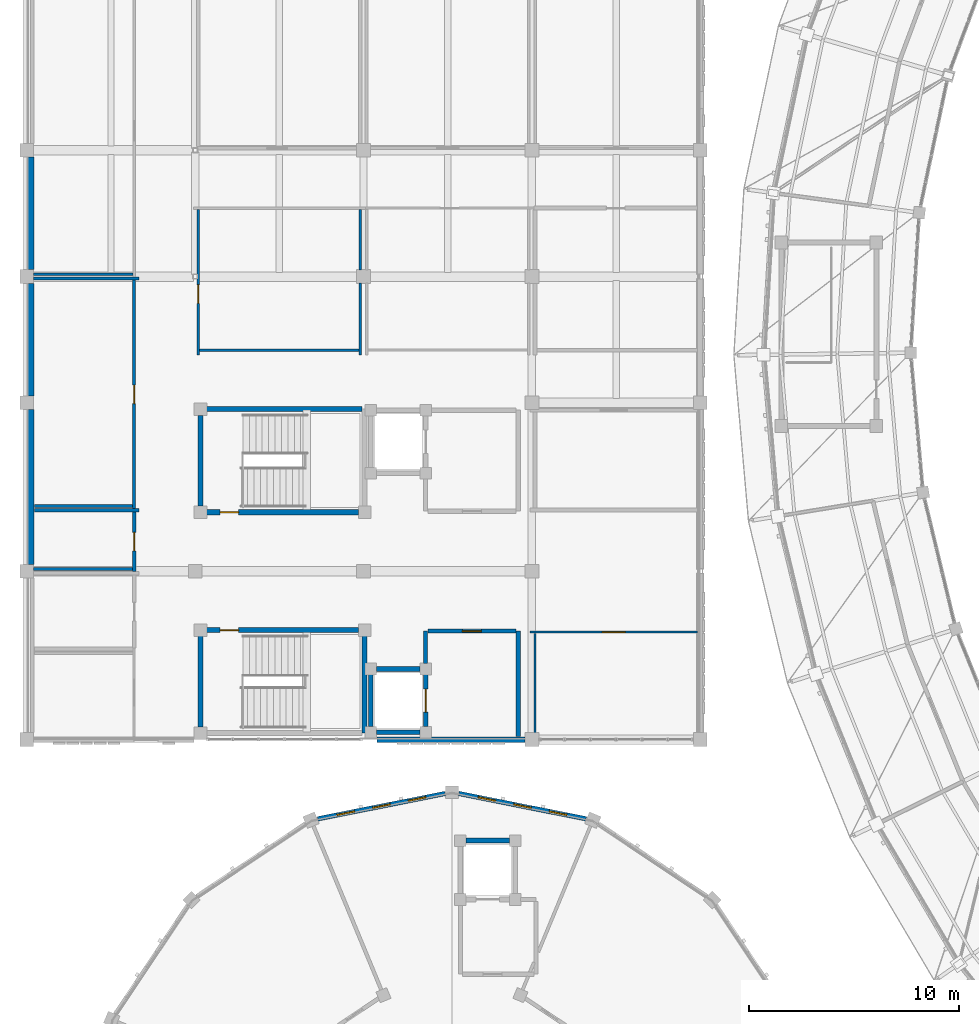
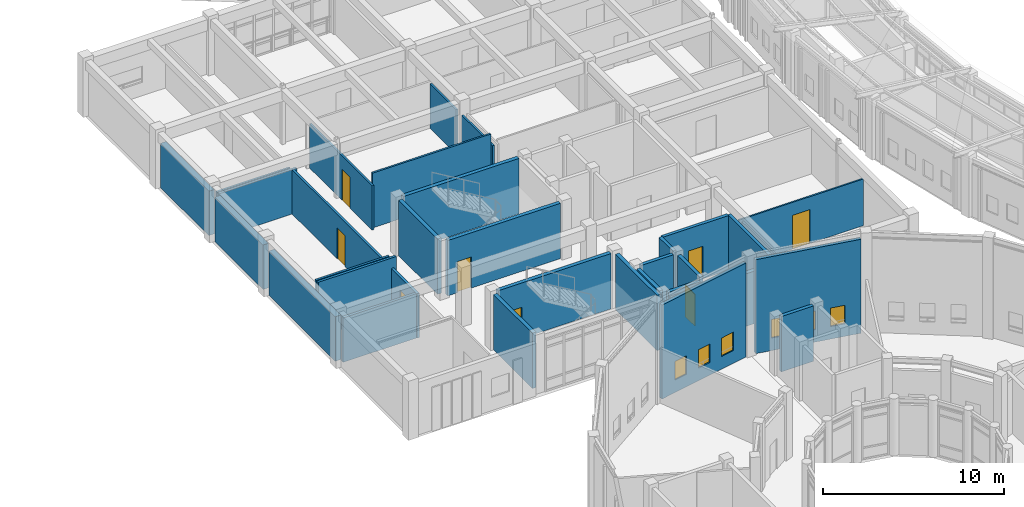
# One storey, part 120 of 149: 33 walls, 8 doors, 6 windows, 14 openings.
"""IFC4 building model written with IfcOpenShell, lengths in metres."""

from ifc_helpers import new_model, si_unit, direction, frame, frame_2d, origin, place, context, subcontext, project, spatial, rectangle, extrude, material, layer, layer_set, type_object, element, fill, save


model = new_model("IFC4")

# Units and contexts
model_context = context("Model", 3, precision=1e-05, world=origin(), true_north=direction((0.0, 1.0)))
body_context = subcontext(model_context, "Body", "Model", "MODEL_VIEW")
ifc_project = project(units=[si_unit("LENGTHUNIT", "METRE"), si_unit("AREAUNIT", "SQUARE_METRE"), si_unit("VOLUMEUNIT", "CUBIC_METRE"), si_unit("PLANEANGLEUNIT", "RADIAN"), si_unit("MASSUNIT", "GRAM", prefix="KILO")], contexts=[model_context])

# Site, building, storey
site_placement = place(None, origin())
site = spatial("IfcSite", under=ifc_project, at=site_placement, CompositionType="ELEMENT")
building_placement = place(site_placement, origin())
building = spatial("IfcBuilding", under=site, at=building_placement, Name="Celadon Cloister-Ring School", CompositionType="ELEMENT")
storey_placement = place(building_placement, frame((0.0, 0.0, 12.5)))
storey = spatial("IfcBuildingStorey", under=building, at=storey_placement, Name="L03", CompositionType="ELEMENT", Elevation=12.5)

# Wall
ifc_material_1 = material(Name="Rendered concrete blockwork", Category="masonry")
ifc_layer_1 = layer(ifc_material_1, 0.260009765625)
ifc_layer_set_1 = layer_set([ifc_layer_1], Name="Rendered concrete blockwork")
wall_type_1 = type_object("IfcWallType", Name="WT-EX2", PredefinedType="SOLIDWALL", material=ifc_layer_set_1)
wall_1_placement = place(storey_placement, frame((23.673095703125, 40.0, 0.0), z_axis=(0.0, 0.0, 1.0), x_axis=(-1.0, 0.0, 0.0)))
element("IfcWall", 1, at=wall_1_placement, inside=storey, type_object=wall_type_1, Name="Exterior Wall 0536", PredefinedType="SOLIDWALL", context=body_context, shape_type="SweptSolid", body=[
    extrude(rectangle(XDim=7.046142578125, YDim=0.260009765625, at=frame_2d((3.52294921875, 0.0))), origin(), (0.0, 0.0, 1.0), 3.550048828125),
])

# Wall, openings, windows
ifc_material_2 = material(Name="Perforated terracotta clay brick masonry", Category="masonry")
ifc_layer_2 = layer(ifc_material_2, 0.219970703125)
ifc_layer_set_2 = layer_set([ifc_layer_2], Name="Perforated terracotta clay brick masonry")
wall_type_2 = type_object("IfcWallType", Name="WT-EX4", PredefinedType="SOLIDWALL", material=ifc_layer_set_2)
wall_2_placement = place(storey_placement, frame((20.52294921875, 37.43603515625, 0.0), z_axis=(0.0, 0.0, 1.0), x_axis=(0.980770460131, -0.195164813773, 0.0)))
wall_2 = element("IfcWall", 2, at=wall_2_placement, inside=storey, type_object=wall_type_2, Name="Exterior Wall 0355", PredefinedType="SOLIDWALL", context=body_context, shape_type="SweptSolid", body=[
    extrude(rectangle(XDim=6.169677734375, YDim=0.219970703125, at=frame_2d((3.0849609375, 0.0))), origin(), (0.0, 0.0, 1.0), 6.35009765625),
])
opening_1_placement = place(wall_2_placement, frame((0.931884765625, 0.0, 0.85009765625)))
opening_1 = element("IfcOpeningElement", 3, at=opening_1_placement, cuts=wall_2, Name="Opening WN-11", PredefinedType="OPENING", context=body_context, shape_type="SweptSolid", body=[
    extrude(rectangle(XDim=0.85009765625, YDim=1.25, at=frame_2d((0.425048828125, 0.625))), frame((0.0, 0.1201171875, 0.0), z_axis=(0.0, -1.0, 0.0), x_axis=(1.0, 0.0, 0.0)), (0.0, 0.0, 1.0), 0.239990234375),
])
opening_2_placement = place(wall_2_placement, frame((2.659912109375, 0.0, 0.85009765625)))
opening_2 = element("IfcOpeningElement", 4, at=opening_2_placement, cuts=wall_2, Name="Opening WN-11", PredefinedType="OPENING", context=body_context, shape_type="SweptSolid", body=[
    extrude(rectangle(XDim=0.85009765625, YDim=1.25, at=frame_2d((0.425048828125, 0.625))), frame((0.0, 0.1201171875, 0.0), z_axis=(0.0, -1.0, 0.0), x_axis=(1.0, 0.0, 0.0)), (0.0, 0.0, 1.0), 0.239990234375),
])
opening_3_placement = place(wall_2_placement, frame((4.386962890625, 0.0, 0.85009765625)))
opening_3 = element("IfcOpeningElement", 5, at=opening_3_placement, cuts=wall_2, Name="Opening WN-11", PredefinedType="OPENING", context=body_context, shape_type="SweptSolid", body=[
    extrude(rectangle(XDim=0.85009765625, YDim=1.25, at=frame_2d((0.425048828125, 0.625))), frame((0.0, 0.1201171875, 0.0), z_axis=(0.0, -1.0, 0.0), x_axis=(1.0, 0.0, 0.0)), (0.0, 0.0, 1.0), 0.239990234375),
])
ifc_material_3 = material(Name="Tempered laminated insulating glass", Category="glass")
window_type = type_object("IfcWindowType", Name="WN-11", PartitioningType="SINGLE_PANEL", PredefinedType="WINDOW", material=ifc_material_3)
window_1_placement = place(opening_1_placement, origin())
window_1 = element("IfcWindow", 6, at=window_1_placement, inside=storey, type_object=window_type, Name="Window 0907", OverallHeight=1.25, OverallWidth=0.85009765625, PartitioningType="SINGLE_PANEL", PredefinedType="WINDOW", context=body_context, shape_type="SweptSolid", body=[
    extrude(rectangle(XDim=0.85009765625, YDim=1.25, at=frame_2d((0.425048828125, 0.625))), frame((0.0, 0.030029296875, 0.0), z_axis=(0.0, -1.0, 0.0), x_axis=(1.0, 0.0, 0.0)), (0.0, 0.0, 1.0), 0.06005859375),
])
fill(opening_1, window_1)
window_2_placement = place(opening_2_placement, origin())
window_2 = element("IfcWindow", 7, at=window_2_placement, inside=storey, type_object=window_type, Name="Window 0908", OverallHeight=1.25, OverallWidth=0.85009765625, PartitioningType="SINGLE_PANEL", PredefinedType="WINDOW", context=body_context, shape_type="SweptSolid", body=[
    extrude(rectangle(XDim=0.85009765625, YDim=1.25, at=frame_2d((0.425048828125, 0.625))), frame((0.0, 0.030029296875, 0.0), z_axis=(0.0, -1.0, 0.0), x_axis=(1.0, 0.0, 0.0)), (0.0, 0.0, 1.0), 0.06005859375),
])
fill(opening_2, window_2)
window_3_placement = place(opening_3_placement, origin())
window_3 = element("IfcWindow", 8, at=window_3_placement, inside=storey, type_object=window_type, Name="Window 0909", OverallHeight=1.25, OverallWidth=0.85009765625, PartitioningType="SINGLE_PANEL", PredefinedType="WINDOW", context=body_context, shape_type="SweptSolid", body=[
    extrude(rectangle(XDim=0.85009765625, YDim=1.25, at=frame_2d((0.425048828125, 0.625))), frame((0.0, 0.030029296875, 0.0), z_axis=(0.0, -1.0, 0.0), x_axis=(1.0, 0.0, 0.0)), (0.0, 0.0, 1.0), 0.06005859375),
])
fill(opening_3, window_3)

wall_3_placement = place(storey_placement, frame((13.825927734375, 36.23193359375, 0.0), z_axis=(0.0, 0.0, 1.0), x_axis=(0.980770460131, 0.195164813773, 0.0)))
wall_3 = element("IfcWall", 9, at=wall_3_placement, inside=storey, type_object=wall_type_2, Name="Exterior Wall 0356", PredefinedType="SOLIDWALL", context=body_context, shape_type="SweptSolid", body=[
    extrude(rectangle(XDim=6.169677734375, YDim=0.219970703125, at=frame_2d((3.0849609375, 0.0))), origin(), (0.0, 0.0, 1.0), 6.35009765625),
])
opening_4_placement = place(wall_3_placement, frame((0.931884765625, 0.0, 0.85009765625)))
opening_4 = element("IfcOpeningElement", 10, at=opening_4_placement, cuts=wall_3, Name="Opening WN-11", PredefinedType="OPENING", context=body_context, shape_type="SweptSolid", body=[
    extrude(rectangle(XDim=0.85009765625, YDim=1.25, at=frame_2d((0.425048828125, 0.625))), frame((0.0, 0.1201171875, 0.0), z_axis=(0.0, -1.0, 0.0), x_axis=(1.0, 0.0, 0.0)), (0.0, 0.0, 1.0), 0.239990234375),
])
opening_5_placement = place(wall_3_placement, frame((2.659912109375, 0.0, 0.85009765625)))
opening_5 = element("IfcOpeningElement", 11, at=opening_5_placement, cuts=wall_3, Name="Opening WN-11", PredefinedType="OPENING", context=body_context, shape_type="SweptSolid", body=[
    extrude(rectangle(XDim=0.85009765625, YDim=1.25, at=frame_2d((0.425048828125, 0.625))), frame((0.0, 0.1201171875, 0.0), z_axis=(0.0, -1.0, 0.0), x_axis=(1.0, 0.0, 0.0)), (0.0, 0.0, 1.0), 0.239990234375),
])
opening_6_placement = place(wall_3_placement, frame((4.386962890625, 0.0, 0.85009765625)))
opening_6 = element("IfcOpeningElement", 12, at=opening_6_placement, cuts=wall_3, Name="Opening WN-11", PredefinedType="OPENING", context=body_context, shape_type="SweptSolid", body=[
    extrude(rectangle(XDim=0.85009765625, YDim=1.25, at=frame_2d((0.425048828125, 0.625))), frame((0.0, 0.1201171875, 0.0), z_axis=(0.0, -1.0, 0.0), x_axis=(1.0, 0.0, 0.0)), (0.0, 0.0, 1.0), 0.239990234375),
])
window_4_placement = place(opening_4_placement, origin())
window_4 = element("IfcWindow", 13, at=window_4_placement, inside=storey, type_object=window_type, Name="Window 0910", OverallHeight=1.25, OverallWidth=0.85009765625, PartitioningType="SINGLE_PANEL", PredefinedType="WINDOW", context=body_context, shape_type="SweptSolid", body=[
    extrude(rectangle(XDim=0.85009765625, YDim=1.25, at=frame_2d((0.425048828125, 0.625))), frame((0.0, 0.030029296875, 0.0), z_axis=(0.0, -1.0, 0.0), x_axis=(1.0, 0.0, 0.0)), (0.0, 0.0, 1.0), 0.06005859375),
])
fill(opening_4, window_4)
window_5_placement = place(opening_5_placement, origin())
window_5 = element("IfcWindow", 14, at=window_5_placement, inside=storey, type_object=window_type, Name="Window 0911", OverallHeight=1.25, OverallWidth=0.85009765625, PartitioningType="SINGLE_PANEL", PredefinedType="WINDOW", context=body_context, shape_type="SweptSolid", body=[
    extrude(rectangle(XDim=0.85009765625, YDim=1.25, at=frame_2d((0.425048828125, 0.625))), frame((0.0, 0.030029296875, 0.0), z_axis=(0.0, -1.0, 0.0), x_axis=(1.0, 0.0, 0.0)), (0.0, 0.0, 1.0), 0.06005859375),
])
fill(opening_5, window_5)
window_6_placement = place(opening_6_placement, origin())
window_6 = element("IfcWindow", 15, at=window_6_placement, inside=storey, type_object=window_type, Name="Window 0912", OverallHeight=1.25, OverallWidth=0.85009765625, PartitioningType="SINGLE_PANEL", PredefinedType="WINDOW", context=body_context, shape_type="SweptSolid", body=[
    extrude(rectangle(XDim=0.85009765625, YDim=1.25, at=frame_2d((0.425048828125, 0.625))), frame((0.0, 0.030029296875, 0.0), z_axis=(0.0, -1.0, 0.0), x_axis=(1.0, 0.0, 0.0)), (0.0, 0.0, 1.0), 0.06005859375),
])
fill(opening_6, window_6)

# Walls
ifc_material_4 = material(Name="Concrete C40/50", Category="concrete")
ifc_layer_3 = layer(ifc_material_4, 0.35009765625)
ifc_layer_set_3 = layer_set([ifc_layer_3], Name="Concrete C40/50")
wall_type_3 = type_object("IfcWallType", Name="WT-FW2", PredefinedType="SHEAR", material=ifc_layer_set_3)
wall_4_placement = place(storey_placement, frame((0.175048828125, 48.326904296875, 0.0), z_axis=(0.0, 0.0, 1.0), x_axis=(0.0, 1.0, 0.0)))
element("IfcWall", 16, at=wall_4_placement, inside=storey, type_object=wall_type_3, Name="Exterior Wall 0539", PredefinedType="SHEAR", context=body_context, shape_type="SweptSolid", body=[
    extrude(rectangle(XDim=7.34619140625, YDim=0.35009765625, at=frame_2d((3.673095703125, 0.0))), origin(), (0.0, 0.0, 1.0), 3.001953125),
])
for number, where, z_axis, x_axis, name in (
    (17, (0.175048828125, 56.326904296875, 0.0), (0.0, 0.0, 1.0), (0.0, 1.0, 0.0), "Exterior Wall 0540"),
    (18, (0.175048828125, 62.326904296875, 0.0), (0.0, 0.0, 1.0), (0.0, 1.0, 0.0), "Exterior Wall 0541"),
):
    element("IfcWall", number, at=place(storey_placement, frame(where, z_axis=z_axis, x_axis=x_axis)), inside=storey, type_object=wall_type_3, Name=name, PredefinedType="SHEAR", context=body_context, shape_type="SweptSolid", body=[
        extrude(rectangle(XDim=5.34619140625, YDim=0.35009765625, at=frame_2d((2.673095703125, 0.0))), origin(), (0.0, 0.0, 1.0), 3.001953125),
    ])
ifc_material_5 = material(Name="Plastered hollow concrete masonry", Category="masonry")
ifc_layer_4 = layer(ifc_material_5, 0.199951171875)
ifc_layer_set_4 = layer_set([ifc_layer_4], Name="Plastered hollow concrete masonry")
wall_type_4 = type_object("IfcWallType", Name="WT-PT1", PredefinedType="PARTITIONING", material=ifc_layer_set_4)
wall_5_placement = place(storey_placement, frame((18.949951171875, 43.616943359375, 0.0), z_axis=(0.0, 0.0, 1.0), x_axis=(0.0, 1.0, 0.0)))
element("IfcWall", 19, at=wall_5_placement, inside=storey, type_object=wall_type_4, Name="Interior Wall 0234", PredefinedType="PARTITIONING", context=body_context, shape_type="SweptSolid", body=[
    extrude(rectangle(XDim=1.532958984375, YDim=0.199951171875, at=frame_2d((0.7666015625, 0.0))), origin(), (0.0, 0.0, 1.0), 3.699951171875),
])
wall_6_placement = place(storey_placement, frame((23.35009765625, 40.133056640625, 0.0), z_axis=(0.0, 0.0, 1.0), x_axis=(0.0, 1.0, 0.0)))
element("IfcWall", 20, at=wall_6_placement, inside=storey, type_object=wall_type_4, Name="Interior Wall 0235", PredefinedType="PARTITIONING", context=body_context, shape_type="SweptSolid", body=[
    extrude(rectangle(XDim=5.016845703125, YDim=0.199951171875, at=frame_2d((2.50830078125, 0.0))), origin(), (0.0, 0.0, 1.0), 3.699951171875),
])

# Wall, opening, door
wall_7_placement = place(storey_placement, frame((19.052978515625, 45.14990234375, 0.0), z_axis=(0.0, 0.0, 1.0), x_axis=(1.0, 0.0, 0.0)))
wall_7 = element("IfcWall", 21, at=wall_7_placement, inside=storey, type_object=wall_type_4, Name="Interior Wall 0236", PredefinedType="PARTITIONING", context=body_context, shape_type="SweptSolid", body=[
    extrude(rectangle(XDim=4.194091796875, YDim=0.199951171875, at=frame_2d((2.09716796875, 0.0))), origin(), (0.0, 0.0, 1.0), 3.699951171875),
])
opening_7_placement = place(wall_7_placement, frame((1.64697265625, 0.0, 0.0)))
opening_7 = element("IfcOpeningElement", 22, at=opening_7_placement, cuts=wall_7, Name="Opening D-0088", PredefinedType="OPENING", context=body_context, shape_type="SweptSolid", body=[
    extrude(rectangle(XDim=0.89990234375, YDim=2.199951171875, at=frame_2d((0.449951171875, 1.10009765625))), frame((0.0, 0.10986328125, 0.0), z_axis=(0.0, -1.0, 0.0), x_axis=(1.0, 0.0, 0.0)), (0.0, 0.0, 1.0), 0.219970703125),
])
ifc_material_6 = material(Name="Solid-core fire-rated hardwood leaf", Category="wood")
door_type_1 = type_object("IfcDoorType", Name="DT-06", OperationType="NOTDEFINED", PredefinedType="DOOR", material=ifc_material_6)
door_1_placement = place(opening_7_placement, origin())
door_1 = element("IfcDoor", 23, at=door_1_placement, inside=storey, type_object=door_type_1, Name="Door D-0088", OperationType="SINGLE_SWING_RIGHT", OverallHeight=2.199951171875, OverallWidth=0.89990234375, PredefinedType="DOOR", context=body_context, shape_type="SweptSolid", body=[
    extrude(rectangle(XDim=0.89990234375, YDim=2.199951171875, at=frame_2d((0.449951171875, 1.10009765625))), frame((0.0, 0.02490234375, 0.0), z_axis=(0.0, -1.0, 0.0), x_axis=(1.0, 0.0, 0.0)), (0.0, 0.0, 1.0), 0.050048828125),
])
fill(opening_7, door_1)

# Wall
ifc_material_7 = material(Name="Plastered hollow concrete masonry", Category="masonry")
ifc_layer_5 = layer(ifc_material_7, 0.159912109375)
ifc_layer_set_5 = layer_set([ifc_layer_5], Name="Plastered hollow concrete masonry")
wall_type_5 = type_object("IfcWallType", Name="WT-PT3", PredefinedType="PARTITIONING", material=ifc_layer_set_5)
wall_8_placement = place(storey_placement, frame((0.35302734375, 50.89990234375, 0.0), z_axis=(0.0, 0.0, 1.0), x_axis=(1.0, 0.0, 0.0)))
element("IfcWall", 24, at=wall_8_placement, inside=storey, type_object=wall_type_5, Name="Interior Wall 1104", PredefinedType="PARTITIONING", context=body_context, shape_type="SweptSolid", body=[
    extrude(rectangle(XDim=4.987060546875, YDim=0.159912109375, at=frame_2d((2.49365234375, 0.0))), origin(), (0.0, 0.0, 1.0), 3.699951171875),
])

# Wall, opening, door
wall_9_placement = place(storey_placement, frame((5.10009765625, 50.81689453125, 0.0), z_axis=(0.0, 0.0, 1.0), x_axis=(0.0, -1.0, 0.0)))
wall_9 = element("IfcWall", 25, at=wall_9_placement, inside=storey, type_object=wall_type_5, Name="Interior Wall 1105", PredefinedType="PARTITIONING", context=body_context, shape_type="SweptSolid", body=[
    extrude(rectangle(XDim=2.823974609375, YDim=0.159912109375, at=frame_2d((1.412109375, 0.0))), origin(), (0.0, 0.0, 1.0), 3.001953125),
])
opening_8_placement = place(wall_9_placement, frame((0.971923828125, 0.0, 0.0)))
opening_8 = element("IfcOpeningElement", 26, at=opening_8_placement, cuts=wall_9, Name="Opening D-0392", PredefinedType="OPENING", context=body_context, shape_type="SweptSolid", body=[
    extrude(rectangle(XDim=0.8798828125, YDim=2.10009765625, at=frame_2d((0.43994140625, 1.050048828125))), frame((0.0, 0.08984375, 0.0), z_axis=(0.0, -1.0, 0.0), x_axis=(1.0, 0.0, 0.0)), (0.0, 0.0, 1.0), 0.179931640625),
])
ifc_material_8 = material(Name="Solid-core fire-rated hardwood leaf", Category="wood")
door_type_2 = type_object("IfcDoorType", Name="DT-01", OperationType="NOTDEFINED", PredefinedType="DOOR", material=ifc_material_8)
door_2_placement = place(opening_8_placement, origin())
door_2 = element("IfcDoor", 27, at=door_2_placement, inside=storey, type_object=door_type_2, Name="Door D-0392", OperationType="SINGLE_SWING_RIGHT", OverallHeight=2.10009765625, OverallWidth=0.8798828125, PredefinedType="DOOR", context=body_context, shape_type="SweptSolid", body=[
    extrude(rectangle(XDim=0.8798828125, YDim=2.10009765625, at=frame_2d((0.43994140625, 1.050048828125))), frame((0.0, 0.02490234375, 0.0), z_axis=(0.0, -1.0, 0.0), x_axis=(1.0, 0.0, 0.0)), (0.0, 0.0, 1.0), 0.050048828125),
])
fill(opening_8, door_2)

# Walls
wall_10_placement = place(storey_placement, frame((5.01708984375, 48.10009765625, 0.0), z_axis=(0.0, 0.0, 1.0), x_axis=(-1.0, 0.0, 0.0)))
element("IfcWall", 28, at=wall_10_placement, inside=storey, type_object=wall_type_5, Name="Interior Wall 1106", PredefinedType="PARTITIONING", context=body_context, shape_type="SweptSolid", body=[
    extrude(rectangle(XDim=4.7001953125, YDim=0.159912109375, at=frame_2d((2.35009765625, 0.0))), origin(), (0.0, 0.0, 1.0), 3.001953125),
])
ifc_material_9 = material(Name="Acoustic mineral-wool drywall partition")
ifc_layer_6 = layer(ifc_material_9, 0.139892578125)
ifc_layer_set_6 = layer_set([ifc_layer_6], Name="Acoustic mineral-wool drywall partition")
wall_type_6 = type_object("IfcWallType", Name="WT-PT4", PredefinedType="PARTITIONING", material=ifc_layer_set_6)
wall_11_placement = place(storey_placement, frame((0.31689453125, 61.89990234375, 0.0), z_axis=(0.0, 0.0, 1.0), x_axis=(1.0, 0.0, 0.0)))
element("IfcWall", 29, at=wall_11_placement, inside=storey, type_object=wall_type_6, Name="Interior Wall 1107", PredefinedType="PARTITIONING", context=body_context, shape_type="SweptSolid", body=[
    extrude(rectangle(XDim=5.023193359375, YDim=0.139892578125, at=frame_2d((2.51171875, 0.0))), origin(), (0.0, 0.0, 1.0), 3.001953125),
])

# Wall, opening, door
wall_12_placement = place(storey_placement, frame((5.10009765625, 61.826904296875, 0.0), z_axis=(0.0, 0.0, 1.0), x_axis=(0.0, -1.0, 0.0)))
wall_12 = element("IfcWall", 30, at=wall_12_placement, inside=storey, type_object=wall_type_6, Name="Interior Wall 1108", PredefinedType="PARTITIONING", context=body_context, shape_type="SweptSolid", body=[
    extrude(rectangle(XDim=10.843994140625, YDim=0.139892578125, at=frame_2d((5.421875, 0.0))), origin(), (0.0, 0.0, 1.0), 3.001953125),
])
opening_9_placement = place(wall_12_placement, frame((4.98193359375, 0.0, 0.0)))
opening_9 = element("IfcOpeningElement", 31, at=opening_9_placement, cuts=wall_12, Name="Opening D-0393", PredefinedType="OPENING", context=body_context, shape_type="SweptSolid", body=[
    extrude(rectangle(XDim=0.8798828125, YDim=2.10009765625, at=frame_2d((0.43994140625, 1.050048828125))), frame((0.0, 0.080078125, 0.0), z_axis=(0.0, -1.0, 0.0), x_axis=(1.0, 0.0, 0.0)), (0.0, 0.0, 1.0), 0.159912109375),
])
door_3_placement = place(opening_9_placement, origin())
door_3 = element("IfcDoor", 32, at=door_3_placement, inside=storey, type_object=door_type_2, Name="Door D-0393", OperationType="SINGLE_SWING_LEFT", OverallHeight=2.10009765625, OverallWidth=0.8798828125, PredefinedType="DOOR", context=body_context, shape_type="SweptSolid", body=[
    extrude(rectangle(XDim=0.8798828125, YDim=2.10009765625, at=frame_2d((0.43994140625, 1.050048828125))), frame((0.0, 0.02490234375, 0.0), z_axis=(0.0, -1.0, 0.0), x_axis=(1.0, 0.0, 0.0)), (0.0, 0.0, 1.0), 0.050048828125),
])
fill(opening_9, door_3)

# Walls
wall_13_placement = place(storey_placement, frame((5.027099609375, 51.10009765625, 0.0), z_axis=(0.0, 0.0, 1.0), x_axis=(-1.0, 0.0, 0.0)))
element("IfcWall", 33, at=wall_13_placement, inside=storey, type_object=wall_type_6, Name="Interior Wall 1109", PredefinedType="PARTITIONING", context=body_context, shape_type="SweptSolid", body=[
    extrude(rectangle(XDim=4.674072265625, YDim=0.139892578125, at=frame_2d((2.3369140625, 0.0))), origin(), (0.0, 0.0, 1.0), 3.699951171875),
])
ifc_material_10 = material(Name="Acoustic mineral-wool drywall partition")
ifc_layer_7 = layer(ifc_material_10, 0.1201171875)
ifc_layer_set_7 = layer_set([ifc_layer_7], Name="Acoustic mineral-wool drywall partition")
wall_type_7 = type_object("IfcWallType", Name="WT-PT5", PredefinedType="PARTITIONING", material=ifc_layer_set_7)
wall_14_placement = place(storey_placement, frame((15.85009765625, 65.18701171875, 0.0), z_axis=(0.0, 0.0, 1.0), x_axis=(0.0, -1.0, 0.0)))
element("IfcWall", 34, at=wall_14_placement, inside=storey, type_object=wall_type_7, Name="Interior Wall 1077", PredefinedType="PARTITIONING", context=body_context, shape_type="SweptSolid", body=[
    extrude(rectangle(XDim=2.8701171875, YDim=0.1201171875, at=frame_2d((1.43505859375, 0.0))), origin(), (0.0, 0.0, 1.0), 3.001953125),
])
wall_15_placement = place(storey_placement, frame((15.85009765625, 61.68310546875, 0.0), z_axis=(0.0, 0.0, 1.0), x_axis=(0.0, -1.0, 0.0)))
element("IfcWall", 35, at=wall_15_placement, inside=storey, type_object=wall_type_7, Name="Interior Wall 1078", PredefinedType="PARTITIONING", context=body_context, shape_type="SweptSolid", body=[
    extrude(rectangle(XDim=3.423095703125, YDim=0.1201171875, at=frame_2d((1.71142578125, 0.0))), origin(), (0.0, 0.0, 1.0), 3.001953125),
])

# Wall, opening, door
wall_16_placement = place(storey_placement, frame((8.14990234375, 58.260009765625, 0.0), z_axis=(0.0, 0.0, 1.0), x_axis=(0.0, 1.0, 0.0)))
wall_16 = element("IfcWall", 36, at=wall_16_placement, inside=storey, type_object=wall_type_7, Name="Interior Wall 1079", PredefinedType="PARTITIONING", context=body_context, shape_type="SweptSolid", body=[
    extrude(rectangle(XDim=6.927001953125, YDim=0.1201171875, at=frame_2d((3.46337890625, 0.0))), origin(), (0.0, 0.0, 1.0), 3.001953125),
])
opening_10_placement = place(wall_16_placement, frame((2.468994140625, 0.0, 0.0)))
opening_10 = element("IfcOpeningElement", 37, at=opening_10_placement, cuts=wall_16, Name="Opening D-0384", PredefinedType="OPENING", context=body_context, shape_type="SweptSolid", body=[
    extrude(rectangle(XDim=0.8798828125, YDim=2.10009765625, at=frame_2d((0.43994140625, 1.050048828125))), frame((0.0, 0.070068359375, 0.0), z_axis=(0.0, -1.0, 0.0), x_axis=(1.0, 0.0, 0.0)), (0.0, 0.0, 1.0), 0.14013671875),
])
door_4_placement = place(opening_10_placement, origin())
door_4 = element("IfcDoor", 38, at=door_4_placement, inside=storey, type_object=door_type_2, Name="Door D-0384", OperationType="SINGLE_SWING_RIGHT", OverallHeight=2.10009765625, OverallWidth=0.8798828125, PredefinedType="DOOR", context=body_context, shape_type="SweptSolid", body=[
    extrude(rectangle(XDim=0.8798828125, YDim=2.10009765625, at=frame_2d((0.43994140625, 1.050048828125))), frame((0.0, 0.02490234375, 0.0), z_axis=(0.0, -1.0, 0.0), x_axis=(1.0, 0.0, 0.0)), (0.0, 0.0, 1.0), 0.050048828125),
])
fill(opening_10, door_4)

# Walls
wall_17_placement = place(storey_placement, frame((15.787109375, 58.5, 0.0), z_axis=(0.0, 0.0, 1.0), x_axis=(-1.0, 0.0, 0.0)))
element("IfcWall", 39, at=wall_17_placement, inside=storey, type_object=wall_type_7, Name="Interior Wall 1080", PredefinedType="PARTITIONING", context=body_context, shape_type="SweptSolid", body=[
    extrude(rectangle(XDim=7.57421875, YDim=0.1201171875, at=frame_2d((3.787109375, 0.0))), origin(), (0.0, 0.0, 1.0), 3.699951171875),
])
wall_18_placement = place(storey_placement, frame((5.037109375, 62.10009765625, 0.0), z_axis=(0.0, 0.0, 1.0), x_axis=(-1.0, 0.0, 0.0)))
element("IfcWall", 40, at=wall_18_placement, inside=storey, type_object=wall_type_7, Name="Interior Wall 1111", PredefinedType="PARTITIONING", context=body_context, shape_type="SweptSolid", body=[
    extrude(rectangle(XDim=4.72021484375, YDim=0.1201171875, at=frame_2d((2.360107421875, 0.0))), origin(), (0.0, 0.0, 1.0), 3.001953125),
])

# Wall, opening, door
ifc_material_11 = material(Name="Acoustic mineral-wool drywall partition")
ifc_layer_8 = layer(ifc_material_11, 0.10009765625)
ifc_layer_set_8 = layer_set([ifc_layer_8], Name="Acoustic mineral-wool drywall partition")
wall_type_8 = type_object("IfcWallType", Name="WT-PT6", PredefinedType="PARTITIONING", material=ifc_layer_set_8)
wall_19_placement = place(storey_placement, frame((23.909912109375, 45.10009765625, 0.0), z_axis=(0.0, 0.0, 1.0), x_axis=(1.0, 0.0, 0.0)))
wall_19 = element("IfcWall", 41, at=wall_19_placement, inside=storey, type_object=wall_type_8, Name="Interior Wall 1112", PredefinedType="PARTITIONING", context=body_context, shape_type="SweptSolid", body=[
    extrude(rectangle(XDim=7.95703125, YDim=0.10009765625, at=frame_2d((3.978515625, 0.0))), origin(), (0.0, 0.0, 1.0), 3.152099609375),
])
opening_11_placement = place(wall_19_placement, frame((3.428955078125, 0.0, 0.0)))
opening_11 = element("IfcOpeningElement", 42, at=opening_11_placement, cuts=wall_19, Name="Opening D-0395", PredefinedType="OPENING", context=body_context, shape_type="SweptSolid", body=[
    extrude(rectangle(XDim=1.10009765625, YDim=2.280029296875, at=frame_2d((0.550048828125, 1.14013671875))), frame((0.0, 0.06005859375, 0.0), z_axis=(0.0, -1.0, 0.0), x_axis=(1.0, 0.0, 0.0)), (0.0, 0.0, 1.0), 0.1201171875),
])
ifc_material_12 = material(Name="Galvanised fire-rated hollow steel leaf", Category="steel")
door_type_3 = type_object("IfcDoorType", Name="DT-15", OperationType="NOTDEFINED", PredefinedType="DOOR", material=ifc_material_12)
door_5_placement = place(opening_11_placement, origin())
door_5 = element("IfcDoor", 43, at=door_5_placement, inside=storey, type_object=door_type_3, Name="Door D-0395", OperationType="SINGLE_SWING_LEFT", OverallHeight=2.280029296875, OverallWidth=1.10009765625, PredefinedType="DOOR", context=body_context, shape_type="SweptSolid", body=[
    extrude(rectangle(XDim=1.10009765625, YDim=2.280029296875, at=frame_2d((0.550048828125, 1.14013671875))), frame((0.0, 0.02490234375, 0.0), z_axis=(0.0, -1.0, 0.0), x_axis=(1.0, 0.0, 0.0)), (0.0, 0.0, 1.0), 0.050048828125),
])
fill(opening_11, door_5)

# Walls
wall_20_placement = place(storey_placement, frame((24.14990234375, 40.31689453125, 0.0), z_axis=(0.0, 0.0, 1.0), x_axis=(0.0, 1.0, 0.0)))
element("IfcWall", 44, at=wall_20_placement, inside=storey, type_object=wall_type_8, Name="Interior Wall 1113", PredefinedType="PARTITIONING", context=body_context, shape_type="SweptSolid", body=[
    extrude(rectangle(XDim=4.730224609375, YDim=0.10009765625, at=frame_2d((2.365234375, 0.0))), origin(), (0.0, 0.0, 1.0), 3.001953125),
])
ifc_material_13 = material(Name="Concrete C40/50", Category="concrete")
ifc_layer_9 = layer(ifc_material_13, 0.239990234375)
ifc_layer_set_9 = layer_set([ifc_layer_9], Name="Concrete C40/50")
wall_type_9 = type_object("IfcWallType", Name="WT-SH1", PredefinedType="SHEAR", material=ifc_layer_set_9)
wall_21_placement = place(storey_placement, frame((8.25, 40.592041015625, 0.0), z_axis=(0.0, 0.0, 1.0), x_axis=(0.0, 1.0, 0.0)))
element("IfcWall", 45, at=wall_21_placement, inside=storey, type_object=wall_type_9, Name="Interior Wall 0013", PredefinedType="SHEAR", context=body_context, shape_type="SweptSolid", body=[
    extrude(rectangle(XDim=4.31591796875, YDim=0.239990234375, at=frame_2d((2.157958984375, 0.0))), origin(), (0.0, 0.0, 1.0), 3.739990234375),
])
wall_22_placement = place(storey_placement, frame((16.050048828125, 44.907958984375, 0.0), z_axis=(0.0, 0.0, 1.0), x_axis=(0.0, -1.0, 0.0)))
element("IfcWall", 46, at=wall_22_placement, inside=storey, type_object=wall_type_9, Name="Interior Wall 0014", PredefinedType="SHEAR", context=body_context, shape_type="SweptSolid", body=[
    extrude(rectangle(XDim=4.60791015625, YDim=0.239990234375, at=frame_2d((2.303955078125, 0.0))), origin(), (0.0, 0.0, 1.0), 3.739990234375),
])

# Wall, opening, door
wall_23_placement = place(storey_placement, frame((15.758056640625, 45.199951171875, 0.0), z_axis=(0.0, 0.0, 1.0), x_axis=(-1.0, 0.0, 0.0)))
wall_23 = element("IfcWall", 47, at=wall_23_placement, inside=storey, type_object=wall_type_9, Name="Interior Wall 0016", PredefinedType="SHEAR", context=body_context, shape_type="SweptSolid", body=[
    extrude(rectangle(XDim=7.216064453125, YDim=0.239990234375, at=frame_2d((3.60791015625, 0.0))), origin(), (0.0, 0.0, 1.0), 3.739990234375),
])
opening_12_placement = place(wall_23_placement, frame((5.694091796875, 0.0, 0.0)))
opening_12 = element("IfcOpeningElement", 48, at=opening_12_placement, cuts=wall_23, Name="Opening D-0036", PredefinedType="OPENING", context=body_context, shape_type="SweptSolid", body=[
    extrude(rectangle(XDim=0.8798828125, YDim=2.10009765625, at=frame_2d((0.43994140625, 1.050048828125))), frame((0.0, 0.1298828125, 0.0), z_axis=(0.0, -1.0, 0.0), x_axis=(1.0, 0.0, 0.0)), (0.0, 0.0, 1.0), 0.260009765625),
])
door_6_placement = place(opening_12_placement, origin())
door_6 = element("IfcDoor", 49, at=door_6_placement, inside=storey, type_object=door_type_2, Name="Door D-0036", OperationType="SINGLE_SWING_RIGHT", OverallHeight=2.10009765625, OverallWidth=0.8798828125, PredefinedType="DOOR", context=body_context, shape_type="SweptSolid", body=[
    extrude(rectangle(XDim=0.8798828125, YDim=2.10009765625, at=frame_2d((0.43994140625, 1.050048828125))), frame((0.0, 0.02490234375, 0.0), z_axis=(0.0, -1.0, 0.0), x_axis=(1.0, 0.0, 0.0)), (0.0, 0.0, 1.0), 0.050048828125),
])
fill(opening_12, door_6)

# Wall
wall_24_placement = place(storey_placement, frame((8.25, 51.092041015625, 0.0), z_axis=(0.0, 0.0, 1.0), x_axis=(0.0, 1.0, 0.0)))
element("IfcWall", 50, at=wall_24_placement, inside=storey, type_object=wall_type_9, Name="Interior Wall 0037", PredefinedType="SHEAR", context=body_context, shape_type="SweptSolid", body=[
    extrude(rectangle(XDim=4.31591796875, YDim=0.239990234375, at=frame_2d((2.157958984375, 0.0))), origin(), (0.0, 0.0, 1.0), 3.739990234375),
])

# Wall, opening, door
wall_25_placement = place(storey_placement, frame((15.758056640625, 50.800048828125, 0.0), z_axis=(0.0, 0.0, 1.0), x_axis=(-1.0, 0.0, 0.0)))
wall_25 = element("IfcWall", 51, at=wall_25_placement, inside=storey, type_object=wall_type_9, Name="Interior Wall 0039", PredefinedType="SHEAR", context=body_context, shape_type="SweptSolid", body=[
    extrude(rectangle(XDim=7.216064453125, YDim=0.239990234375, at=frame_2d((3.60791015625, 0.0))), origin(), (0.0, 0.0, 1.0), 3.739990234375),
])
opening_13_placement = place(wall_25_placement, frame((5.694091796875, 0.0, 0.0)))
opening_13 = element("IfcOpeningElement", 52, at=opening_13_placement, cuts=wall_25, Name="Opening D-0042", PredefinedType="OPENING", context=body_context, shape_type="SweptSolid", body=[
    extrude(rectangle(XDim=0.8798828125, YDim=2.10009765625, at=frame_2d((0.43994140625, 1.050048828125))), frame((0.0, 0.1298828125, 0.0), z_axis=(0.0, -1.0, 0.0), x_axis=(1.0, 0.0, 0.0)), (0.0, 0.0, 1.0), 0.260009765625),
])
door_7_placement = place(opening_13_placement, origin())
door_7 = element("IfcDoor", 53, at=door_7_placement, inside=storey, type_object=door_type_2, Name="Door D-0042", OperationType="SINGLE_SWING_RIGHT", OverallHeight=2.10009765625, OverallWidth=0.8798828125, PredefinedType="DOOR", context=body_context, shape_type="SweptSolid", body=[
    extrude(rectangle(XDim=0.8798828125, YDim=2.10009765625, at=frame_2d((0.43994140625, 1.050048828125))), frame((0.0, 0.02490234375, 0.0), z_axis=(0.0, -1.0, 0.0), x_axis=(1.0, 0.0, 0.0)), (0.0, 0.0, 1.0), 0.050048828125),
])
fill(opening_13, door_7)

# Walls
wall_26_placement = place(storey_placement, frame((15.927001953125, 55.699951171875, 0.0), z_axis=(0.0, 0.0, 1.0), x_axis=(-1.0, 0.0, 0.0)))
element("IfcWall", 54, at=wall_26_placement, inside=storey, type_object=wall_type_9, Name="Interior Wall 0040", PredefinedType="SHEAR", context=body_context, shape_type="SweptSolid", body=[
    extrude(rectangle(XDim=7.385009765625, YDim=0.239990234375, at=frame_2d((3.6923828125, 0.0))), origin(), (0.0, 0.0, 1.0), 3.739990234375),
])
ifc_material_14 = material(Name="Concrete C40/50", Category="concrete")
ifc_layer_10 = layer(ifc_material_14, 0.219970703125)
ifc_layer_set_10 = layer_set([ifc_layer_10], Name="Concrete C40/50")
wall_type_10 = type_object("IfcWallType", Name="WT-SH2", PredefinedType="SHEAR", material=ifc_layer_set_10)
wall_27_placement = place(storey_placement, frame((16.616943359375, 40.35009765625, 0.0), z_axis=(0.0, 0.0, 1.0), x_axis=(1.0, 0.0, 0.0)))
element("IfcWall", 55, at=wall_27_placement, inside=storey, type_object=wall_type_10, Name="Interior Wall 0230", PredefinedType="SHEAR", context=body_context, shape_type="SweptSolid", body=[
    extrude(rectangle(XDim=2.066162109375, YDim=0.219970703125, at=frame_2d((1.033203125, 0.0))), origin(), (0.0, 0.0, 1.0), 3.739990234375),
])

# Wall, opening, door
wall_28_placement = place(storey_placement, frame((18.949951171875, 40.616943359375, 0.0), z_axis=(0.0, 0.0, 1.0), x_axis=(0.0, 1.0, 0.0)))
wall_28 = element("IfcWall", 56, at=wall_28_placement, inside=storey, type_object=wall_type_10, Name="Interior Wall 0231", PredefinedType="SHEAR", context=body_context, shape_type="SweptSolid", body=[
    extrude(rectangle(XDim=2.466064453125, YDim=0.219970703125, at=frame_2d((1.23291015625, 0.0))), origin(), (0.0, 0.0, 1.0), 3.739990234375),
])
opening_14_placement = place(wall_28_placement, frame((0.68310546875, 0.0, 0.0)))
opening_14 = element("IfcOpeningElement", 57, at=opening_14_placement, cuts=wall_28, Name="Opening LD-004", PredefinedType="OPENING", context=body_context, shape_type="SweptSolid", body=[
    extrude(rectangle(XDim=1.10009765625, YDim=2.14990234375, at=frame_2d((0.550048828125, 1.074951171875))), frame((0.0, 0.1201171875, 0.0), z_axis=(0.0, -1.0, 0.0), x_axis=(1.0, 0.0, 0.0)), (0.0, 0.0, 1.0), 0.239990234375),
])
ifc_material_15 = material(Name="Galvanised fire-rated hollow steel leaf", Category="steel")
door_type_4 = type_object("IfcDoorType", Name="DT-LD1", OperationType="DOUBLE_DOOR_SLIDING", PredefinedType="DOOR", material=ifc_material_15)
door_8_placement = place(opening_14_placement, origin())
door_8 = element("IfcDoor", 58, at=door_8_placement, inside=storey, type_object=door_type_4, Name="Door LD-004", OperationType="DOUBLE_DOOR_SLIDING", OverallHeight=2.14990234375, OverallWidth=1.10009765625, PredefinedType="DOOR", context=body_context, shape_type="SweptSolid", body=[
    extrude(rectangle(XDim=1.10009765625, YDim=2.14990234375, at=frame_2d((0.550048828125, 1.074951171875))), frame((0.0, 0.02490234375, 0.0), z_axis=(0.0, -1.0, 0.0), x_axis=(1.0, 0.0, 0.0)), (0.0, 0.0, 1.0), 0.050048828125),
])
fill(opening_14, door_8)

# Walls
wall_29_placement = place(storey_placement, frame((18.68310546875, 43.35009765625, 0.0), z_axis=(0.0, 0.0, 1.0), x_axis=(-1.0, 0.0, 0.0)))
element("IfcWall", 59, at=wall_29_placement, inside=storey, type_object=wall_type_10, Name="Interior Wall 0232", PredefinedType="SHEAR", context=body_context, shape_type="SweptSolid", body=[
    extrude(rectangle(XDim=2.066162109375, YDim=0.219970703125, at=frame_2d((1.033203125, 0.0))), origin(), (0.0, 0.0, 1.0), 3.739990234375),
])
wall_30_placement = place(storey_placement, frame((16.35009765625, 43.0830078125, 0.0), z_axis=(0.0, 0.0, 1.0), x_axis=(0.0, -1.0, 0.0)))
element("IfcWall", 60, at=wall_30_placement, inside=storey, type_object=wall_type_10, Name="Interior Wall 0233", PredefinedType="SHEAR", context=body_context, shape_type="SweptSolid", body=[
    extrude(rectangle(XDim=2.466064453125, YDim=0.219970703125, at=frame_2d((1.23291015625, 0.0))), origin(), (0.0, 0.0, 1.0), 3.739990234375),
])
wall_31_placement = place(storey_placement, frame((22.93310546875, 35.199951171875, 0.0), z_axis=(0.0, 0.0, 1.0), x_axis=(-1.0, 0.0, 0.0)))
element("IfcWall", 61, at=wall_31_placement, inside=storey, type_object=wall_type_10, Name="Interior Wall 0393", PredefinedType="SHEAR", context=body_context, shape_type="SweptSolid", body=[
    extrude(rectangle(XDim=2.066162109375, YDim=0.219970703125, at=frame_2d((1.033203125, 0.0))), origin(), (0.0, 0.0, 1.0), 3.739990234375),
])

save(model, "model.ifc")
